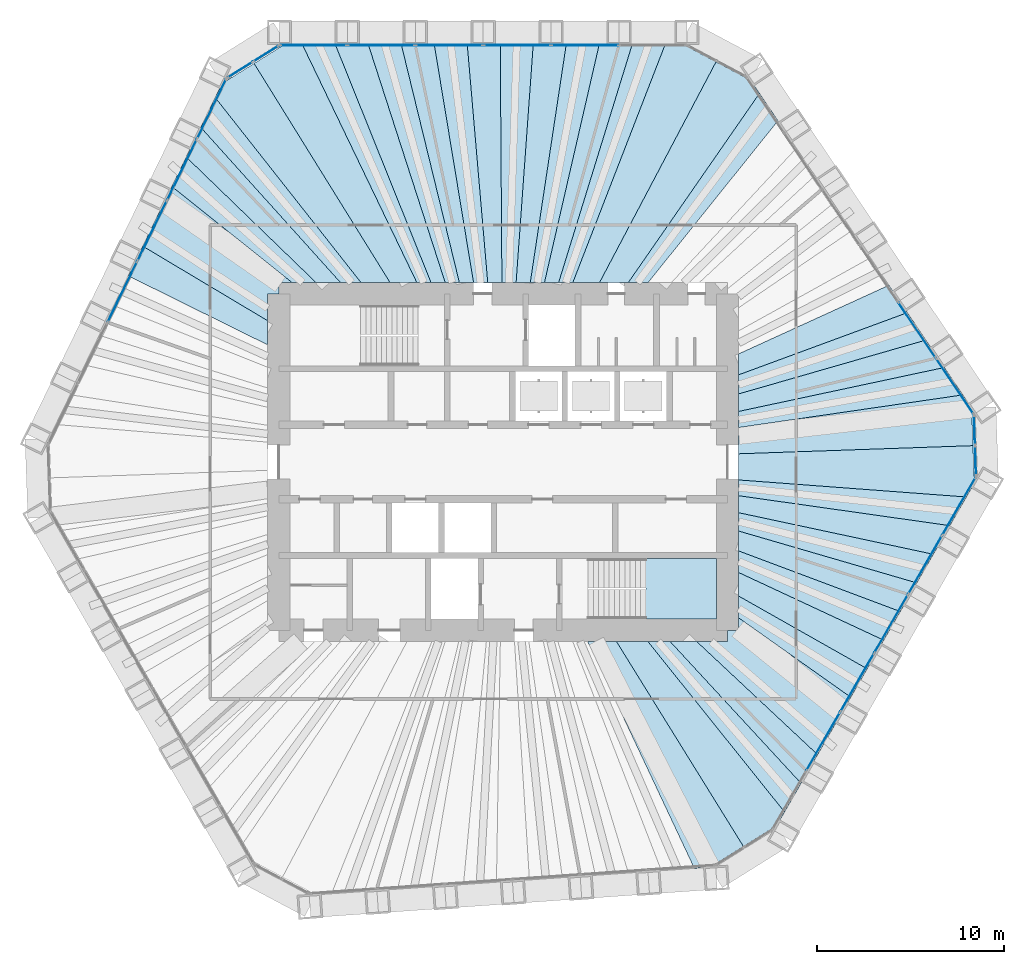
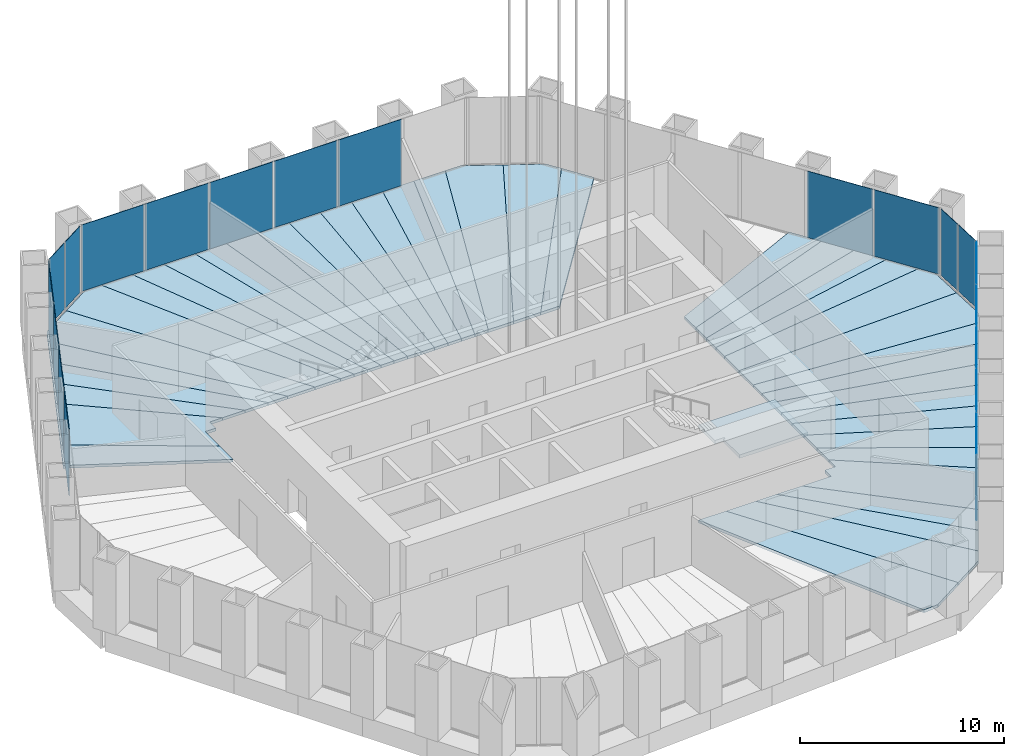
# One storey, part 9 of 20: 40 slabs, 20 plates, 7 elements without a shape of their own.
"""IFC4 building model written with IfcOpenShell, lengths in metres."""

from ifc_helpers import new_model, si_unit, direction, frame, origin, origin_2d, place, context, subcontext, project, spatial, polyline, rectangle, outline, extrude, material, layer, layer_set, type_object, element, aggregate, save


model = new_model("IFC4")

# Units and contexts
model_context = context("Model", 3, precision=1e-05, world=origin(), true_north=direction((0.0, 1.0)))
body_context = subcontext(model_context, "Body", "Model", "MODEL_VIEW")
ifc_project = project(units=[si_unit("LENGTHUNIT", "METRE"), si_unit("AREAUNIT", "SQUARE_METRE"), si_unit("VOLUMEUNIT", "CUBIC_METRE"), si_unit("PLANEANGLEUNIT", "RADIAN"), si_unit("MASSUNIT", "GRAM", prefix="KILO")], contexts=[model_context])

# Site, building, storey
site_placement = place(None, origin())
site = spatial("IfcSite", under=ifc_project, at=site_placement, CompositionType="ELEMENT")
building_placement = place(site_placement, origin())
building = spatial("IfcBuilding", under=site, at=building_placement, Name="Qingtian Harvest Tower", CompositionType="ELEMENT")
storey_placement = place(building_placement, frame((0.0, 0.0, 180.39990234375)))
storey = spatial("IfcBuildingStorey", under=building, at=storey_placement, Name="L38", CompositionType="ELEMENT", Elevation=180.39990234375)

# Slabs
ifc_material_1 = material(Name="Concrete fc' 35 MPa", Category="concrete")
ifc_layer_1 = layer(ifc_material_1, 0.169921875)
ifc_layer_set_1 = layer_set([ifc_layer_1], Name="Composite floor slab FS17 170")
slab_type_1 = type_object("IfcSlabType", Name="Composite floor slab FS17 170", PredefinedType="FLOOR", material=ifc_layer_set_1)
slab_1_placement = place(storey_placement, frame((0.0, 0.0, -0.169921875)))
element("IfcSlab", 1, at=slab_1_placement, inside=storey, type_object=slab_type_1, Name="Floor slab L38 panel D26", PredefinedType="FLOOR", context=body_context, shape_type="SweptSolid", body=[
    extrude(outline(polyline([(4.5185546875, -9.60009765625), (6.059326171875, -9.60009765625), (12.851806640625, -20.5625), (11.052734375, -21.686767578125), (10.23193359375, -21.744140625), (4.5185546875, -9.60009765625)])), origin(), (0.0, 0.0, 1.0), 0.169921875),
])
slab_2_placement = place(storey_placement, frame((0.0, 0.0, -0.169921875)))
element("IfcSlab", 2, at=slab_2_placement, inside=storey, type_object=slab_type_1, Name="Floor slab L38 panel D27", PredefinedType="FLOOR", context=body_context, shape_type="SweptSolid", body=[
    extrude(outline(polyline([(6.059326171875, -9.60009765625), (7.740966796875, -9.60009765625), (15.05859375, -18.7275390625), (14.646728515625, -19.44091796875), (12.851806640625, -20.5625), (6.059326171875, -9.60009765625)])), origin(), (0.0, 0.0, 1.0), 0.169921875),
])
slab_3_placement = place(storey_placement, frame((0.0, 0.0, -0.169921875)))
element("IfcSlab", 3, at=slab_3_placement, inside=storey, type_object=slab_type_1, Name="Floor slab L38 panel D28", PredefinedType="FLOOR", context=body_context, shape_type="SweptSolid", body=[
    extrude(outline(polyline([(8.929443359375, -9.60009765625), (15.94384765625, -17.194580078125), (15.05859375, -18.7275390625), (7.740966796875, -9.60009765625), (8.929443359375, -9.60009765625)])), origin(), (0.0, 0.0, 1.0), 0.169921875),
])
slab_4_placement = place(storey_placement, frame((0.0, 0.0, -0.169921875)))
element("IfcSlab", 4, at=slab_4_placement, inside=storey, type_object=slab_type_1, Name="Floor slab L38 panel D29", PredefinedType="FLOOR", context=body_context, shape_type="SweptSolid", body=[
    extrude(outline(polyline([(10.35205078125, -9.60009765625), (16.828857421875, -15.66162109375), (15.94384765625, -17.194580078125), (8.929443359375, -9.60009765625), (10.35205078125, -9.60009765625)])), origin(), (0.0, 0.0, 1.0), 0.169921875),
])
slab_5_placement = place(storey_placement, frame((0.0, 0.0, -0.169921875)))
element("IfcSlab", 5, at=slab_5_placement, inside=storey, type_object=slab_type_1, Name="Floor slab L38 panel D31", PredefinedType="FLOOR", context=body_context, shape_type="SweptSolid", body=[
    extrude(outline(polyline([(12.60009765625, -8.33984375), (18.603759765625, -12.587158203125), (16.828857421875, -15.66162109375), (10.35205078125, -9.60009765625), (12.0, -9.60009765625), (12.0, -9.0), (12.60009765625, -9.0), (12.60009765625, -8.33984375)])), origin(), (0.0, 0.0, 1.0), 0.169921875),
])
slab_6_placement = place(storey_placement, frame((0.0, 0.0, -0.169921875)))
element("IfcSlab", 6, at=slab_6_placement, inside=storey, type_object=slab_type_1, Name="Floor slab L38 panel D32", PredefinedType="FLOOR", context=body_context, shape_type="SweptSolid", body=[
    extrude(outline(polyline([(12.60009765625, -7.171142578125), (19.482177734375, -11.06591796875), (18.603759765625, -12.587158203125), (12.60009765625, -8.33984375), (12.60009765625, -7.171142578125)])), origin(), (0.0, 0.0, 1.0), 0.169921875),
])
slab_7_placement = place(storey_placement, frame((0.0, 0.0, -0.169921875)))
element("IfcSlab", 7, at=slab_7_placement, inside=storey, type_object=slab_type_1, Name="Floor slab L38 panel D33", PredefinedType="FLOOR", context=body_context, shape_type="SweptSolid", body=[
    extrude(outline(polyline([(12.60009765625, -5.91015625), (20.3671875, -9.532958984375), (19.482177734375, -11.06591796875), (12.60009765625, -7.171142578125), (12.60009765625, -5.91015625)])), origin(), (0.0, 0.0, 1.0), 0.169921875),
])
slab_8_placement = place(storey_placement, frame((0.0, 0.0, -0.169921875)))
element("IfcSlab", 8, at=slab_8_placement, inside=storey, type_object=slab_type_1, Name="Floor slab L38 panel D34", PredefinedType="FLOOR", context=body_context, shape_type="SweptSolid", body=[
    extrude(outline(polyline([(12.60009765625, -4.75439453125), (21.252197265625, -8.000244140625), (20.3671875, -9.532958984375), (12.60009765625, -5.91015625), (12.60009765625, -4.75439453125)])), origin(), (0.0, 0.0, 1.0), 0.169921875),
])
slab_9_placement = place(storey_placement, frame((0.0, 0.0, -0.169921875)))
element("IfcSlab", 9, at=slab_9_placement, inside=storey, type_object=slab_type_1, Name="Floor slab L38 panel D35", PredefinedType="FLOOR", context=body_context, shape_type="SweptSolid", body=[
    extrude(outline(polyline([(12.60009765625, -3.691162109375), (22.136962890625, -6.467529296875), (21.252197265625, -8.000244140625), (12.60009765625, -4.75439453125), (12.60009765625, -3.691162109375)])), origin(), (0.0, 0.0, 1.0), 0.169921875),
])
slab_10_placement = place(storey_placement, frame((0.0, 0.0, -0.169921875)))
element("IfcSlab", 10, at=slab_10_placement, inside=storey, type_object=slab_type_1, Name="Floor slab L38 panel D36", PredefinedType="FLOOR", context=body_context, shape_type="SweptSolid", body=[
    extrude(outline(polyline([(12.60009765625, -2.709716796875), (23.02197265625, -4.934814453125), (22.136962890625, -6.467529296875), (12.60009765625, -3.691162109375), (12.60009765625, -2.709716796875)])), origin(), (0.0, 0.0, 1.0), 0.169921875),
])
slab_11_placement = place(storey_placement, frame((0.0, 0.0, -0.169921875)))
element("IfcSlab", 11, at=slab_11_placement, inside=storey, type_object=slab_type_1, Name="Floor slab L38 panel D37", PredefinedType="FLOOR", context=body_context, shape_type="SweptSolid", body=[
    extrude(outline(polyline([(12.60009765625, -1.801025390625), (23.906982421875, -3.402099609375), (23.02197265625, -4.934814453125), (12.60009765625, -2.709716796875), (12.60009765625, -1.801025390625)])), origin(), (0.0, 0.0, 1.0), 0.169921875),
])
slab_12_placement = place(storey_placement, frame((0.0, 0.0, -0.169921875)))
element("IfcSlab", 12, at=slab_12_placement, inside=storey, type_object=slab_type_1, Name="Floor slab L38 panel D38", PredefinedType="FLOOR", context=body_context, shape_type="SweptSolid", body=[
    extrude(outline(polyline([(12.60009765625, -0.95703125), (24.791748046875, -1.869384765625), (23.906982421875, -3.402099609375), (12.60009765625, -1.801025390625), (12.60009765625, -0.95703125)])), origin(), (0.0, 0.0, 1.0), 0.169921875),
])
slab_13_placement = place(storey_placement, frame((0.0, 0.0, -0.169921875)))
element("IfcSlab", 13, at=slab_13_placement, inside=storey, type_object=slab_type_1, Name="Floor slab L38 panel D39", PredefinedType="FLOOR", context=body_context, shape_type="SweptSolid", body=[
    extrude(outline(polyline([(12.60009765625, -0.95703125), (12.60009765625, 0.442626953125), (25.13232421875, 0.877685546875), (25.203369140625, -1.156494140625), (24.791748046875, -1.869384765625), (12.60009765625, -0.95703125)])), origin(), (0.0, 0.0, 1.0), 0.169921875),
])
slab_14_placement = place(storey_placement, frame((0.0, 0.0, -0.169921875)))
element("IfcSlab", 14, at=slab_14_placement, inside=storey, type_object=slab_type_1, Name="Floor slab L38 panel D40", PredefinedType="FLOOR", context=body_context, shape_type="SweptSolid", body=[
    extrude(outline(polyline([(12.60009765625, 0.442626953125), (12.60009765625, 1.848876953125), (24.60107421875, 3.59423828125), (25.061279296875, 2.91162109375), (25.13232421875, 0.877685546875), (12.60009765625, 0.442626953125)])), origin(), (0.0, 0.0, 1.0), 0.169921875),
])
slab_15_placement = place(storey_placement, frame((0.0, 0.0, -0.169921875)))
element("IfcSlab", 15, at=slab_15_placement, inside=storey, type_object=slab_type_1, Name="Floor slab L38 panel D41", PredefinedType="FLOOR", context=body_context, shape_type="SweptSolid", body=[
    extrude(outline(polyline([(12.60009765625, 2.710205078125), (23.611328125, 5.0615234375), (24.60107421875, 3.59423828125), (12.60009765625, 1.848876953125), (12.60009765625, 2.710205078125)])), origin(), (0.0, 0.0, 1.0), 0.169921875),
])
slab_16_placement = place(storey_placement, frame((0.0, 0.0, -0.169921875)))
element("IfcSlab", 16, at=slab_16_placement, inside=storey, type_object=slab_type_1, Name="Floor slab L38 panel D42", PredefinedType="FLOOR", context=body_context, shape_type="SweptSolid", body=[
    extrude(outline(polyline([(12.60009765625, 3.646728515625), (22.62158203125, 6.52880859375), (23.611328125, 5.0615234375), (12.60009765625, 2.710205078125), (12.60009765625, 3.646728515625)])), origin(), (0.0, 0.0, 1.0), 0.169921875),
])
slab_17_placement = place(storey_placement, frame((0.0, 0.0, -0.169921875)))
element("IfcSlab", 17, at=slab_17_placement, inside=storey, type_object=slab_type_1, Name="Floor slab L38 panel D43", PredefinedType="FLOOR", context=body_context, shape_type="SweptSolid", body=[
    extrude(outline(polyline([(12.60009765625, 4.669189453125), (21.6318359375, 7.99609375), (22.62158203125, 6.52880859375), (12.60009765625, 3.646728515625), (12.60009765625, 4.669189453125)])), origin(), (0.0, 0.0, 1.0), 0.169921875),
])
slab_18_placement = place(storey_placement, frame((0.0, 0.0, -0.169921875)))
element("IfcSlab", 18, at=slab_18_placement, inside=storey, type_object=slab_type_1, Name="Floor slab L38 panel D44", PredefinedType="FLOOR", context=body_context, shape_type="SweptSolid", body=[
    extrude(outline(polyline([(12.60009765625, 5.7900390625), (20.64208984375, 9.46337890625), (21.6318359375, 7.99609375), (12.60009765625, 4.669189453125), (12.60009765625, 5.7900390625)])), origin(), (0.0, 0.0, 1.0), 0.169921875),
])
slab_19_placement = place(storey_placement, frame((0.0, 0.0, -0.169921875)))
element("IfcSlab", 19, at=slab_19_placement, inside=storey, type_object=slab_type_1, Name="Floor slab L38 panel D51", PredefinedType="FLOOR", context=body_context, shape_type="SweptSolid", body=[
    extrude(outline(polyline([(6.6904296875, 9.60009765625), (13.715576171875, 19.732421875), (14.705322265625, 18.26513671875), (7.751220703125, 9.60009765625), (6.6904296875, 9.60009765625)])), origin(), (0.0, 0.0, 1.0), 0.169921875),
])
slab_20_placement = place(storey_placement, frame((0.0, 0.0, -0.169921875)))
element("IfcSlab", 20, at=slab_20_placement, inside=storey, type_object=slab_type_1, Name="Floor slab L38 panel D52", PredefinedType="FLOOR", context=body_context, shape_type="SweptSolid", body=[
    extrude(outline(polyline([(6.6904296875, 9.60009765625), (5.15185546875, 9.60009765625), (11.3857421875, 21.4091796875), (13.255126953125, 20.415283203125), (13.715576171875, 19.732421875), (6.6904296875, 9.60009765625)])), origin(), (0.0, 0.0, 1.0), 0.169921875),
])
slab_21_placement = place(storey_placement, frame((0.0, 0.0, -0.169921875)))
element("IfcSlab", 21, at=slab_21_placement, inside=storey, type_object=slab_type_1, Name="Floor slab L38 panel D53", PredefinedType="FLOOR", context=body_context, shape_type="SweptSolid", body=[
    extrude(outline(polyline([(3.7236328125, 9.60009765625), (8.690185546875, 22.405029296875), (9.512939453125, 22.405029296875), (11.3857421875, 21.4091796875), (5.15185546875, 9.60009765625), (3.7236328125, 9.60009765625)])), origin(), (0.0, 0.0, 1.0), 0.169921875),
])
slab_22_placement = place(storey_placement, frame((0.0, 0.0, -0.169921875)))
element("IfcSlab", 22, at=slab_22_placement, inside=storey, type_object=slab_type_1, Name="Floor slab L38 panel D54", PredefinedType="FLOOR", context=body_context, shape_type="SweptSolid", body=[
    extrude(outline(polyline([(2.96533203125, 9.60009765625), (6.92041015625, 22.405029296875), (8.690185546875, 22.405029296875), (3.7236328125, 9.60009765625), (2.96533203125, 9.60009765625)])), origin(), (0.0, 0.0, 1.0), 0.169921875),
])
slab_23_placement = place(storey_placement, frame((0.0, 0.0, -0.169921875)))
element("IfcSlab", 23, at=slab_23_placement, inside=storey, type_object=slab_type_1, Name="Floor slab L38 panel D55", PredefinedType="FLOOR", context=body_context, shape_type="SweptSolid", body=[
    extrude(outline(polyline([(2.206787109375, 9.60009765625), (5.150634765625, 22.405029296875), (6.92041015625, 22.405029296875), (2.96533203125, 9.60009765625), (2.206787109375, 9.60009765625)])), origin(), (0.0, 0.0, 1.0), 0.169921875),
])
slab_24_placement = place(storey_placement, frame((0.0, 0.0, -0.169921875)))
element("IfcSlab", 24, at=slab_24_placement, inside=storey, type_object=slab_type_1, Name="Floor slab L38 panel D56", PredefinedType="FLOOR", context=body_context, shape_type="SweptSolid", body=[
    extrude(outline(polyline([(1.448486328125, 9.60009765625), (3.380859375, 22.405029296875), (5.150634765625, 22.405029296875), (2.206787109375, 9.60009765625), (1.448486328125, 9.60009765625)])), origin(), (0.0, 0.0, 1.0), 0.169921875),
])
slab_25_placement = place(storey_placement, frame((0.0, 0.0, -0.169921875)))
element("IfcSlab", 25, at=slab_25_placement, inside=storey, type_object=slab_type_1, Name="Floor slab L38 panel D57", PredefinedType="FLOOR", context=body_context, shape_type="SweptSolid", body=[
    extrude(outline(polyline([(0.690185546875, 9.60009765625), (1.611083984375, 22.405029296875), (3.380859375, 22.405029296875), (1.448486328125, 9.60009765625), (0.690185546875, 9.60009765625)])), origin(), (0.0, 0.0, 1.0), 0.169921875),
])
slab_26_placement = place(storey_placement, frame((0.0, 0.0, -0.169921875)))
element("IfcSlab", 26, at=slab_26_placement, inside=storey, type_object=slab_type_1, Name="Floor slab L38 panel D58", PredefinedType="FLOOR", context=body_context, shape_type="SweptSolid", body=[
    extrude(outline(polyline([(-0.068115234375, 9.60009765625), (-0.15869140625, 22.405029296875), (1.611083984375, 22.405029296875), (0.690185546875, 9.60009765625), (-0.068115234375, 9.60009765625)])), origin(), (0.0, 0.0, 1.0), 0.169921875),
])
slab_27_placement = place(storey_placement, frame((0.0, 0.0, -0.169921875)))
element("IfcSlab", 27, at=slab_27_placement, inside=storey, type_object=slab_type_1, Name="Floor slab L38 panel D59", PredefinedType="FLOOR", context=body_context, shape_type="SweptSolid", body=[
    extrude(outline(polyline([(-0.826416015625, 9.60009765625), (-1.928466796875, 22.405029296875), (-0.15869140625, 22.405029296875), (-0.068115234375, 9.60009765625), (-0.826416015625, 9.60009765625)])), origin(), (0.0, 0.0, 1.0), 0.169921875),
])
slab_28_placement = place(storey_placement, frame((0.0, 0.0, -0.169921875)))
element("IfcSlab", 28, at=slab_28_placement, inside=storey, type_object=slab_type_1, Name="Floor slab L38 panel D60", PredefinedType="FLOOR", context=body_context, shape_type="SweptSolid", body=[
    extrude(outline(polyline([(-1.584716796875, 9.60009765625), (-3.6982421875, 22.405029296875), (-1.928466796875, 22.405029296875), (-0.826416015625, 9.60009765625), (-1.584716796875, 9.60009765625)])), origin(), (0.0, 0.0, 1.0), 0.169921875),
])
slab_29_placement = place(storey_placement, frame((0.0, 0.0, -0.169921875)))
element("IfcSlab", 29, at=slab_29_placement, inside=storey, type_object=slab_type_1, Name="Floor slab L38 panel D61", PredefinedType="FLOOR", context=body_context, shape_type="SweptSolid", body=[
    extrude(outline(polyline([(-2.343017578125, 9.60009765625), (-5.468017578125, 22.405029296875), (-3.6982421875, 22.405029296875), (-1.584716796875, 9.60009765625), (-2.343017578125, 9.60009765625)])), origin(), (0.0, 0.0, 1.0), 0.169921875),
])
slab_30_placement = place(storey_placement, frame((0.0, 0.0, -0.169921875)))
element("IfcSlab", 30, at=slab_30_placement, inside=storey, type_object=slab_type_1, Name="Floor slab L38 panel D62", PredefinedType="FLOOR", context=body_context, shape_type="SweptSolid", body=[
    extrude(outline(polyline([(-3.101318359375, 9.60009765625), (-7.23779296875, 22.405029296875), (-5.468017578125, 22.405029296875), (-2.343017578125, 9.60009765625), (-3.101318359375, 9.60009765625)])), origin(), (0.0, 0.0, 1.0), 0.169921875),
])
slab_31_placement = place(storey_placement, frame((0.0, 0.0, -0.169921875)))
element("IfcSlab", 31, at=slab_31_placement, inside=storey, type_object=slab_type_1, Name="Floor slab L38 panel D63", PredefinedType="FLOOR", context=body_context, shape_type="SweptSolid", body=[
    extrude(outline(polyline([(-3.859619140625, 9.60009765625), (-9.007568359375, 22.405029296875), (-7.23779296875, 22.405029296875), (-3.101318359375, 9.60009765625), (-3.859619140625, 9.60009765625)])), origin(), (0.0, 0.0, 1.0), 0.169921875),
])
slab_32_placement = place(storey_placement, frame((0.0, 0.0, -0.169921875)))
element("IfcSlab", 32, at=slab_32_placement, inside=storey, type_object=slab_type_1, Name="Floor slab L38 panel D64", PredefinedType="FLOOR", context=body_context, shape_type="SweptSolid", body=[
    extrude(outline(polyline([(-4.617919921875, 9.60009765625), (-10.77734375, 22.405029296875), (-9.007568359375, 22.405029296875), (-3.859619140625, 9.60009765625), (-4.617919921875, 9.60009765625)])), origin(), (0.0, 0.0, 1.0), 0.169921875),
])
slab_33_placement = place(storey_placement, frame((0.0, 0.0, -0.169921875)))
element("IfcSlab", 33, at=slab_33_placement, inside=storey, type_object=slab_type_1, Name="Floor slab L38 panel D65", PredefinedType="FLOOR", context=body_context, shape_type="SweptSolid", body=[
    extrude(outline(polyline([(-4.617919921875, 9.60009765625), (-6.050537109375, 9.60009765625), (-13.328125, 21.325439453125), (-11.60009765625, 22.405029296875), (-10.77734375, 22.405029296875), (-4.617919921875, 9.60009765625)])), origin(), (0.0, 0.0, 1.0), 0.169921875),
])
slab_34_placement = place(storey_placement, frame((0.0, 0.0, -0.169921875)))
element("IfcSlab", 34, at=slab_34_placement, inside=storey, type_object=slab_type_1, Name="Floor slab L38 panel D66", PredefinedType="FLOOR", context=body_context, shape_type="SweptSolid", body=[
    extrude(outline(polyline([(-6.050537109375, 9.60009765625), (-7.60498046875, 9.60009765625), (-15.413330078125, 19.507568359375), (-15.05224609375, 20.247802734375), (-13.328125, 21.325439453125), (-6.050537109375, 9.60009765625)])), origin(), (0.0, 0.0, 1.0), 0.169921875),
])
slab_35_placement = place(storey_placement, frame((0.0, 0.0, -0.169921875)))
element("IfcSlab", 35, at=slab_35_placement, inside=storey, type_object=slab_type_1, Name="Floor slab L38 panel D67", PredefinedType="FLOOR", context=body_context, shape_type="SweptSolid", body=[
    extrude(outline(polyline([(-8.699951171875, 9.60009765625), (-16.189208984375, 17.916748046875), (-15.413330078125, 19.507568359375), (-7.60498046875, 9.60009765625), (-8.699951171875, 9.60009765625)])), origin(), (0.0, 0.0, 1.0), 0.169921875),
])
slab_36_placement = place(storey_placement, frame((0.0, 0.0, -0.169921875)))
element("IfcSlab", 36, at=slab_36_placement, inside=storey, type_object=slab_type_1, Name="Floor slab L38 panel D68", PredefinedType="FLOOR", context=body_context, shape_type="SweptSolid", body=[
    extrude(outline(polyline([(-10.009765625, 9.60009765625), (-16.96533203125, 16.32568359375), (-16.189208984375, 17.916748046875), (-8.699951171875, 9.60009765625), (-10.009765625, 9.60009765625)])), origin(), (0.0, 0.0, 1.0), 0.169921875),
])
slab_37_placement = place(storey_placement, frame((0.0, 0.0, -0.169921875)))
element("IfcSlab", 37, at=slab_37_placement, inside=storey, type_object=slab_type_1, Name="Floor slab L38 panel D69", PredefinedType="FLOOR", context=body_context, shape_type="SweptSolid", body=[
    extrude(outline(polyline([(-11.28759765625, 9.60009765625), (-17.735107421875, 14.747314453125), (-16.96533203125, 16.32568359375), (-10.009765625, 9.60009765625), (-11.28759765625, 9.60009765625)])), origin(), (0.0, 0.0, 1.0), 0.169921875),
])
slab_38_placement = place(storey_placement, frame((0.0, 0.0, -0.169921875)))
element("IfcSlab", 38, at=slab_38_placement, inside=storey, type_object=slab_type_1, Name="Floor slab L38 panel D70", PredefinedType="FLOOR", context=body_context, shape_type="SweptSolid", body=[
    extrude(outline(polyline([(-12.0, 9.0), (-12.60009765625, 9.0), (-12.60009765625, 7.560302734375), (-19.291748046875, 11.5556640625), (-17.735107421875, 14.747314453125), (-11.28759765625, 9.60009765625), (-12.0, 9.60009765625), (-12.0, 9.0)])), origin(), (0.0, 0.0, 1.0), 0.169921875),
])
slab_39_placement = place(storey_placement, frame((0.0, 0.0, -0.169921875)))
element("IfcSlab", 39, at=slab_39_placement, inside=storey, type_object=slab_type_1, Name="Floor slab L38 panel D72", PredefinedType="FLOOR", context=body_context, shape_type="SweptSolid", body=[
    extrude(outline(polyline([(-12.60009765625, 6.268310546875), (-20.067626953125, 9.965087890625), (-19.291748046875, 11.5556640625), (-12.60009765625, 7.560302734375), (-12.60009765625, 6.268310546875)])), origin(), (0.0, 0.0, 1.0), 0.169921875),
])

# Curtain wall, plates
ifc_material_2 = material(Name="Bronze-anodised aluminium curtain wall", Category="aluminium")
curtain_wall_type = type_object("IfcCurtainWallType", Name="Curtain wall CW3 sky lobby", PredefinedType="USERDEFINED", material=ifc_material_2)
curtain_wall_1_placement = place(storey_placement, origin())
curtain_wall_1 = element("IfcCurtainWall", 40, at=curtain_wall_1_placement, inside=storey, type_object=curtain_wall_type, Name="Curtain wall CW3 L38 N0-5", ObjectType="RECESSED CURTAIN WALL", PredefinedType="USERDEFINED")
ifc_material_3 = material(Name="Bronze-tinted laminated insulating glass", Category="glass")
ifc_layer_2 = layer(ifc_material_3, 0.030029296875)
ifc_layer_set_2 = layer_set([ifc_layer_2], Name="Glazed panel CWP tinted IGU")
plate_type = type_object("IfcPlateType", Name="Glazed panel CWP tinted IGU", PredefinedType="CURTAIN_PANEL", material=ifc_layer_set_2)
plate_1_placement = place(storey_placement, frame((-10.138916015625, 22.300048828125, 0.06494140625), z_axis=(0.0, 0.0, 1.0), x_axis=(1.0, 0.0, 0.0)))
plate_1 = element("IfcPlate", 41, at=plate_1_placement, type_object=plate_type, Name="CW3 panel 1.1", PredefinedType="CURTAIN_PANEL", context=body_context, shape_type="SweptSolid", body=[
    extrude(rectangle(XDim=3.5361328125, YDim=0.030029296875, at=origin_2d()), origin(), (0.0, 0.0, 1.0), 3.965087890625),
])
plate_2_placement = place(storey_placement, frame((-6.521728515625, 22.300048828125, 0.06494140625), z_axis=(0.0, 0.0, 1.0), x_axis=(1.0, 0.0, 0.0)))
plate_2 = element("IfcPlate", 42, at=plate_2_placement, type_object=plate_type, Name="CW3 panel 2.1", PredefinedType="CURTAIN_PANEL", context=body_context, shape_type="SweptSolid", body=[
    extrude(rectangle(XDim=3.568603515625, YDim=0.030029296875, at=origin_2d()), origin(), (0.0, 0.0, 1.0), 3.965087890625),
])
plate_3_placement = place(storey_placement, frame((-2.88818359375, 22.300048828125, 0.06494140625), z_axis=(0.0, 0.0, 1.0), x_axis=(1.0, 0.0, 0.0)))
plate_3 = element("IfcPlate", 43, at=plate_3_placement, type_object=plate_type, Name="CW3 panel 3.1", PredefinedType="CURTAIN_PANEL", context=body_context, shape_type="SweptSolid", body=[
    extrude(rectangle(XDim=3.568603515625, YDim=0.030029296875, at=origin_2d()), origin(), (0.0, 0.0, 1.0), 3.965087890625),
])
plate_4_placement = place(storey_placement, frame((0.745361328125, 22.300048828125, 0.06494140625), z_axis=(0.0, 0.0, 1.0), x_axis=(1.0, 0.0, 0.0)))
plate_4 = element("IfcPlate", 44, at=plate_4_placement, type_object=plate_type, Name="CW3 panel 4.1", PredefinedType="CURTAIN_PANEL", context=body_context, shape_type="SweptSolid", body=[
    extrude(rectangle(XDim=3.568603515625, YDim=0.030029296875, at=origin_2d()), origin(), (0.0, 0.0, 1.0), 3.965087890625),
])
plate_5_placement = place(storey_placement, frame((4.37890625, 22.300048828125, 0.06494140625), z_axis=(0.0, 0.0, 1.0), x_axis=(1.0, 0.0, 0.0)))
plate_5 = element("IfcPlate", 45, at=plate_5_placement, type_object=plate_type, Name="CW3 panel 5.1", PredefinedType="CURTAIN_PANEL", context=body_context, shape_type="SweptSolid", body=[
    extrude(rectangle(XDim=3.568603515625, YDim=0.030029296875, at=origin_2d()), origin(), (0.0, 0.0, 1.0), 3.965087890625),
])
aggregate(curtain_wall_1, [plate_1, plate_2, plate_3, plate_4, plate_5])

curtain_wall_2_placement = place(storey_placement, origin())
curtain_wall_2 = element("IfcCurtainWall", 46, at=curtain_wall_2_placement, inside=storey, type_object=curtain_wall_type, Name="Curtain wall CW3 L38 NE0-5", ObjectType="RECESSED CURTAIN WALL", PredefinedType="USERDEFINED")
plate_6_placement = place(storey_placement, frame((22.134521484375, 7.063232421875, 0.06494140625), z_axis=(0.0, 0.0, 1.0), x_axis=(0.559192903471, -0.829037572555, 0.0)))
plate_6 = element("IfcPlate", 47, at=plate_6_placement, type_object=plate_type, Name="CW3 panel 5.1", PredefinedType="CURTAIN_PANEL", context=body_context, shape_type="SweptSolid", body=[
    extrude(rectangle(XDim=3.568603515625, YDim=0.030029296875, at=origin_2d()), origin(), (0.0, 0.0, 1.0), 3.965087890625),
])
plate_7_placement = place(storey_placement, frame((24.1572265625, 4.064453125, 0.06494140625), z_axis=(0.0, 0.0, 1.0), x_axis=(0.559192903471, -0.829037572555, 0.0)))
plate_7 = element("IfcPlate", 48, at=plate_7_placement, type_object=plate_type, Name="CW3 panel 6.1", PredefinedType="CURTAIN_PANEL", context=body_context, shape_type="SweptSolid", body=[
    extrude(rectangle(XDim=3.5361328125, YDim=0.030029296875, at=origin_2d()), origin(), (0.0, 0.0, 1.0), 3.965087890625),
])
aggregate(curtain_wall_2, [plate_6, plate_7])

curtain_wall_3_placement = place(storey_placement, origin())
curtain_wall_3 = element("IfcCurtainWall", 49, at=curtain_wall_3_placement, inside=storey, type_object=curtain_wall_type, Name="Curtain wall CW3 L38 NEC", ObjectType="RECESSED CURTAIN WALL", PredefinedType="USERDEFINED")
plate_8_placement = place(storey_placement, frame((25.2119140625, 1.69677734375, 0.06494140625), z_axis=(0.0, 0.0, 1.0), x_axis=(0.034899496703, -0.999390827019, 0.0)))
plate_8 = element("IfcPlate", 50, at=plate_8_placement, type_object=plate_type, Name="CW3 panel 1.1", PredefinedType="CURTAIN_PANEL", context=body_context, shape_type="SweptSolid", body=[
    extrude(rectangle(XDim=1.56689453125, YDim=0.030029296875, at=origin_2d()), origin(), (0.0, 0.0, 1.0), 3.965087890625),
])
plate_9_placement = place(storey_placement, frame((25.268798828125, 0.06591796875, 0.06494140625), z_axis=(0.0, 0.0, 1.0), x_axis=(0.034899496703, -0.999390827019, 0.0)))
plate_9 = element("IfcPlate", 51, at=plate_9_placement, type_object=plate_type, Name="CW3 panel 2.1", PredefinedType="CURTAIN_PANEL", context=body_context, shape_type="SweptSolid", body=[
    extrude(rectangle(XDim=1.56689453125, YDim=0.030029296875, at=origin_2d()), origin(), (0.0, 0.0, 1.0), 3.965087890625),
])
aggregate(curtain_wall_3, [plate_8, plate_9])

curtain_wall_4_placement = place(storey_placement, origin())
curtain_wall_4 = element("IfcCurtainWall", 52, at=curtain_wall_4_placement, inside=storey, type_object=curtain_wall_type, Name="Curtain wall CW3 L38 SE0-5", ObjectType="RECESSED CURTAIN WALL", PredefinedType="USERDEFINED")
plate_10_placement = place(storey_placement, frame((24.3818359375, -2.369384765625, 0.06494140625), z_axis=(0.0, 0.0, 1.0), x_axis=(-0.5, -0.866025403784, 0.0)))
plate_10 = element("IfcPlate", 53, at=plate_10_placement, type_object=plate_type, Name="CW3 panel 1.1", PredefinedType="CURTAIN_PANEL", context=body_context, shape_type="SweptSolid", body=[
    extrude(rectangle(XDim=3.5361328125, YDim=0.030029296875, at=origin_2d()), origin(), (0.0, 0.0, 1.0), 3.965087890625),
])
plate_11_placement = place(storey_placement, frame((22.5732421875, -5.501953125, 0.06494140625), z_axis=(0.0, 0.0, 1.0), x_axis=(-0.5, -0.866025403784, 0.0)))
plate_11 = element("IfcPlate", 54, at=plate_11_placement, type_object=plate_type, Name="CW3 panel 2.1", PredefinedType="CURTAIN_PANEL", context=body_context, shape_type="SweptSolid", body=[
    extrude(rectangle(XDim=3.568603515625, YDim=0.030029296875, at=origin_2d()), origin(), (0.0, 0.0, 1.0), 3.965087890625),
])
plate_12_placement = place(storey_placement, frame((20.75634765625, -8.64892578125, 0.06494140625), z_axis=(0.0, 0.0, 1.0), x_axis=(-0.5, -0.866025403784, 0.0)))
plate_12 = element("IfcPlate", 55, at=plate_12_placement, type_object=plate_type, Name="CW3 panel 3.1", PredefinedType="CURTAIN_PANEL", context=body_context, shape_type="SweptSolid", body=[
    extrude(rectangle(XDim=3.568603515625, YDim=0.030029296875, at=origin_2d()), origin(), (0.0, 0.0, 1.0), 3.965087890625),
])
plate_13_placement = place(storey_placement, frame((18.939697265625, -11.795654296875, 0.06494140625), z_axis=(0.0, 0.0, 1.0), x_axis=(-0.5, -0.866025403784, 0.0)))
plate_13 = element("IfcPlate", 56, at=plate_13_placement, type_object=plate_type, Name="CW3 panel 4.1", PredefinedType="CURTAIN_PANEL", context=body_context, shape_type="SweptSolid", body=[
    extrude(rectangle(XDim=3.568603515625, YDim=0.030029296875, at=origin_2d()), origin(), (0.0, 0.0, 1.0), 3.965087890625),
])
plate_14_placement = place(storey_placement, frame((17.122802734375, -14.9423828125, 0.06494140625), z_axis=(0.0, 0.0, 1.0), x_axis=(-0.5, -0.866025403784, 0.0)))
plate_14 = element("IfcPlate", 57, at=plate_14_placement, type_object=plate_type, Name="CW3 panel 5.1", PredefinedType="CURTAIN_PANEL", context=body_context, shape_type="SweptSolid", body=[
    extrude(rectangle(XDim=3.568603515625, YDim=0.030029296875, at=origin_2d()), origin(), (0.0, 0.0, 1.0), 3.965087890625),
])
aggregate(curtain_wall_4, [plate_10, plate_11, plate_12, plate_13, plate_14])

curtain_wall_5_placement = place(storey_placement, origin())
curtain_wall_5 = element("IfcCurtainWall", 58, at=curtain_wall_5_placement, inside=storey, type_object=curtain_wall_type, Name="Curtain wall CW3 L38 NW0-5", ObjectType="RECESSED CURTAIN WALL", PredefinedType="USERDEFINED")
plate_15_placement = place(storey_placement, frame((-20.369873046875, 9.105712890625, 0.06494140625), z_axis=(0.0, 0.0, 1.0), x_axis=(0.438371146789, 0.898794046299, 0.0)))
plate_15 = element("IfcPlate", 59, at=plate_15_placement, type_object=plate_type, Name="CW3 panel 3.1", PredefinedType="CURTAIN_PANEL", context=body_context, shape_type="SweptSolid", body=[
    extrude(rectangle(XDim=3.568603515625, YDim=0.030029296875, at=origin_2d()), origin(), (0.0, 0.0, 1.0), 3.965087890625),
])
plate_16_placement = place(storey_placement, frame((-18.777099609375, 12.37158203125, 0.06494140625), z_axis=(0.0, 0.0, 1.0), x_axis=(0.438371146789, 0.898794046299, 0.0)))
plate_16 = element("IfcPlate", 60, at=plate_16_placement, type_object=plate_type, Name="CW3 panel 4.1", PredefinedType="CURTAIN_PANEL", context=body_context, shape_type="SweptSolid", body=[
    extrude(rectangle(XDim=3.568603515625, YDim=0.030029296875, at=origin_2d()), origin(), (0.0, 0.0, 1.0), 3.965087890625),
])
plate_17_placement = place(storey_placement, frame((-17.18408203125, 15.63720703125, 0.06494140625), z_axis=(0.0, 0.0, 1.0), x_axis=(0.438371146789, 0.898794046299, 0.0)))
plate_17 = element("IfcPlate", 61, at=plate_17_placement, type_object=plate_type, Name="CW3 panel 5.1", PredefinedType="CURTAIN_PANEL", context=body_context, shape_type="SweptSolid", body=[
    extrude(rectangle(XDim=3.568603515625, YDim=0.030029296875, at=origin_2d()), origin(), (0.0, 0.0, 1.0), 3.965087890625),
])
plate_18_placement = place(storey_placement, frame((-15.598388671875, 18.888427734375, 0.06494140625), z_axis=(0.0, 0.0, 1.0), x_axis=(0.438371146789, 0.898794046299, 0.0)))
plate_18 = element("IfcPlate", 62, at=plate_18_placement, type_object=plate_type, Name="CW3 panel 6.1", PredefinedType="CURTAIN_PANEL", context=body_context, shape_type="SweptSolid", body=[
    extrude(rectangle(XDim=3.5361328125, YDim=0.030029296875, at=origin_2d()), origin(), (0.0, 0.0, 1.0), 3.965087890625),
])
aggregate(curtain_wall_5, [plate_15, plate_16, plate_17, plate_18])

curtain_wall_6_placement = place(storey_placement, origin())
curtain_wall_6 = element("IfcCurtainWall", 63, at=curtain_wall_6_placement, inside=storey, type_object=curtain_wall_type, Name="Curtain wall CW3 L38 NWC", ObjectType="RECESSED CURTAIN WALL", PredefinedType="USERDEFINED")
plate_19_placement = place(storey_placement, frame((-14.075439453125, 20.985595703125, 0.06494140625), z_axis=(0.0, 0.0, 1.0), x_axis=(0.848048096156, 0.529919264233, 0.0)))
plate_19 = element("IfcPlate", 64, at=plate_19_placement, type_object=plate_type, Name="CW3 panel 1.1", PredefinedType="CURTAIN_PANEL", context=body_context, shape_type="SweptSolid", body=[
    extrude(rectangle(XDim=1.56689453125, YDim=0.030029296875, at=origin_2d()), origin(), (0.0, 0.0, 1.0), 3.965087890625),
])
plate_20_placement = place(storey_placement, frame((-12.69140625, 21.850341796875, 0.06494140625), z_axis=(0.0, 0.0, 1.0), x_axis=(0.848048096156, 0.529919264233, 0.0)))
plate_20 = element("IfcPlate", 65, at=plate_20_placement, type_object=plate_type, Name="CW3 panel 2.1", PredefinedType="CURTAIN_PANEL", context=body_context, shape_type="SweptSolid", body=[
    extrude(rectangle(XDim=1.56689453125, YDim=0.030029296875, at=origin_2d()), origin(), (0.0, 0.0, 1.0), 3.965087890625),
])
aggregate(curtain_wall_6, [plate_19, plate_20])

# Stair, slab
ifc_material_4 = material(Name="Concrete fc' 35 MPa", Category="concrete")
stair_type = type_object("IfcStairType", Name="Special stair ST4 4200", PredefinedType="HALF_TURN_STAIR", material=ifc_material_4)
stair_placement = place(storey_placement, origin())
stair = element("IfcStair", 66, at=stair_placement, inside=storey, type_object=stair_type, Name="Special stair S2 L38", PredefinedType="HALF_TURN_STAIR")
ifc_material_5 = material(Name="Concrete fc' 35 MPa", Category="concrete")
ifc_layer_3 = layer(ifc_material_5, 0.199951171875)
ifc_layer_set_3 = layer_set([ifc_layer_3], Name="Stair landing SL2 200")
slab_type_2 = type_object("IfcSlabType", Name="Stair landing SL2 200", PredefinedType="LANDING", material=ifc_layer_set_3)
slab_40_placement = place(storey_placement, frame((0.0, 0.0, 1.900146484375)))
slab_40 = element("IfcSlab", 67, at=slab_40_placement, type_object=slab_type_2, Name="S2 landing 2", PredefinedType="LANDING", context=body_context, shape_type="SweptSolid", body=[
    extrude(outline(polyline([(7.530029296875, -8.39990234375), (7.530029296875, -6.824951171875), (7.6298828125, -6.824951171875), (7.6298828125, -6.72509765625), (7.094970703125, -6.72509765625), (7.094970703125, -5.14990234375), (11.39990234375, -5.14990234375), (11.39990234375, -8.39990234375), (7.530029296875, -8.39990234375)])), origin(), (0.0, 0.0, 1.0), 0.199951171875),
])
aggregate(stair, [slab_40])

save(model, "model.ifc")
